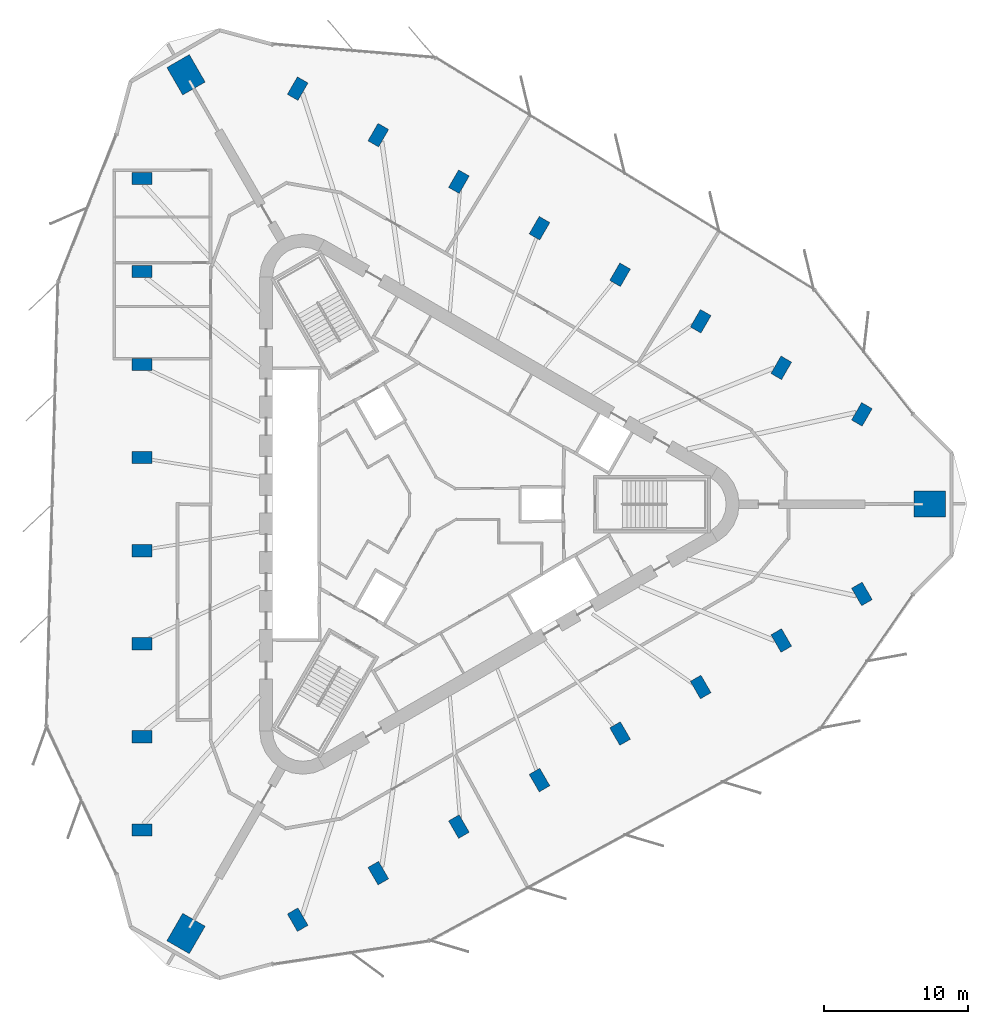
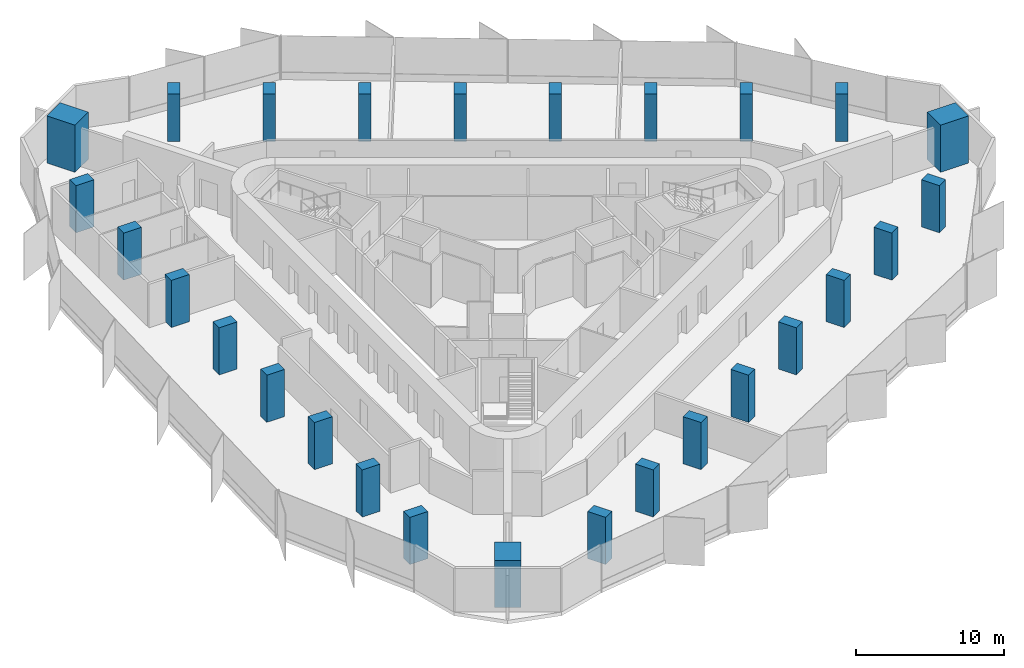
# One storey, part 1 of 13: 27 columns.
"""IFC4 building model written with IfcOpenShell, lengths in metres."""

from ifc_helpers import new_model, si_unit, direction, frame, origin, origin_2d, place, context, subcontext, project, spatial, rectangle, extrude, material, material_profile, profile_set, type_object, element, save


model = new_model("IFC4")

# Units and contexts
model_context = context("Model", 3, precision=1e-05, world=origin(), true_north=direction((0.0, 1.0)))
body_context = subcontext(model_context, "Body", "Model", "MODEL_VIEW")
ifc_project = project(units=[si_unit("LENGTHUNIT", "METRE"), si_unit("AREAUNIT", "SQUARE_METRE"), si_unit("VOLUMEUNIT", "CUBIC_METRE"), si_unit("PLANEANGLEUNIT", "RADIAN"), si_unit("MASSUNIT", "GRAM", prefix="KILO")], contexts=[model_context])

# Site, building, storey
site_placement = place(None, origin())
site = spatial("IfcSite", under=ifc_project, at=site_placement, CompositionType="ELEMENT")
building_placement = place(site_placement, origin())
building = spatial("IfcBuilding", under=site, at=building_placement, Name="Tanit Gate Tower", CompositionType="ELEMENT")
storey_placement = place(building_placement, frame((0.0, 0.0, 322.10009765625)))
storey = spatial("IfcBuildingStorey", under=building, at=storey_placement, Name="L72", CompositionType="ELEMENT", Elevation=322.10009765625)

# Columns
ifc_material_1 = material(Name="Concrete C50/60", Category="concrete")
ifc_material_profile_1 = material_profile(ifc_material_1, rectangle(XDim=2.199951171875, YDim=1.800048828125, at=origin_2d()), Name="RC 2200x1800")
ifc_profile_set_1 = profile_set([ifc_material_profile_1], Name="Concrete C50/60")
column_type_1 = type_object("IfcColumnType", Name="MEGA COLUMN 2200x1800 C50/60", PredefinedType="COLUMN", material=ifc_profile_set_1)
for number, where, z_axis, x_axis, name in (
    (1, (34.43505859375, 0.0, 0.0), (0.0, 0.0, 1.0), (1.0, 0.0, 0.0), "MEGA COLUMN"),
    (2, (-17.217529296875, 29.821533203125, 0.0), (0.0, 0.0, 1.0), (-0.5, 0.866025403784, 0.0), "MEGA COLUMN"),
    (3, (-17.217529296875, -29.821533203125, 0.0), (0.0, 0.0, 1.0), (-0.5, -0.866025403784, 0.0), "MEGA COLUMN"),
):
    element("IfcColumn", number, at=place(storey_placement, frame(where, z_axis=z_axis, x_axis=x_axis)), inside=storey, type_object=column_type_1, Name=name, PredefinedType="COLUMN", context=body_context, shape_type="SweptSolid", body=[
        extrude(rectangle(XDim=2.199951171875, YDim=1.800048828125, at=origin_2d()), origin(), (0.0, 0.0, 1.0), 3.89990234375),
    ])
ifc_material_2 = material(Name="Concrete C40/50", Category="concrete")
ifc_material_profile_2 = material_profile(ifc_material_2, rectangle(XDim=1.39990234375, YDim=0.85009765625, at=origin_2d()), Name="RC 1400x850")
ifc_profile_set_2 = profile_set([ifc_material_profile_2], Name="Concrete C40/50")
column_type_2 = type_object("IfcColumnType", Name="PERIMETER COLUMN 1400x850 C40/50", PredefinedType="COLUMN", material=ifc_profile_set_2)
for number, where, z_axis, x_axis, name in (
    (4, (-20.263671875, 22.62353515625, 0.0), (0.0, 0.0, 1.0), (-1.0, 0.0, 0.0), "PERIMETER COLUMN"),
    (5, (-20.263671875, 16.15966796875, 0.0), (0.0, 0.0, 1.0), (-1.0, 0.0, 0.0), "PERIMETER COLUMN"),
    (6, (-20.263671875, 9.69580078125, 0.0), (0.0, 0.0, 1.0), (-1.0, 0.0, 0.0), "PERIMETER COLUMN"),
    (7, (-20.263671875, 3.23193359375, 0.0), (0.0, 0.0, 1.0), (-1.0, 0.0, 0.0), "PERIMETER COLUMN"),
    (8, (-20.263671875, -3.23193359375, 0.0), (0.0, 0.0, 1.0), (-1.0, 0.0, 0.0), "PERIMETER COLUMN"),
    (9, (-20.263671875, -9.69580078125, 0.0), (0.0, 0.0, 1.0), (-1.0, 0.0, 0.0), "PERIMETER COLUMN"),
    (10, (-20.263671875, -16.15966796875, 0.0), (0.0, 0.0, 1.0), (-1.0, 0.0, 0.0), "PERIMETER COLUMN"),
    (11, (-20.263671875, -22.62353515625, 0.0), (0.0, 0.0, 1.0), (-1.0, 0.0, 0.0), "PERIMETER COLUMN"),
    (12, (29.724609375, 6.237060546875, 0.0), (0.0, 0.0, 1.0), (0.5, 0.866025403784, 0.0), "PERIMETER COLUMN"),
    (13, (24.126708984375, 9.468994140625, 0.0), (0.0, 0.0, 1.0), (0.5, 0.866025403784, 0.0), "PERIMETER COLUMN"),
    (14, (18.52880859375, 12.700927734375, 0.0), (0.0, 0.0, 1.0), (0.5, 0.866025403784, 0.0), "PERIMETER COLUMN"),
    (15, (12.930908203125, 15.932861328125, 0.0), (0.0, 0.0, 1.0), (0.5, 0.866025403784, 0.0), "PERIMETER COLUMN"),
    (16, (7.3330078125, 19.164794921875, 0.0), (0.0, 0.0, 1.0), (0.5, 0.866025403784, 0.0), "PERIMETER COLUMN"),
    (17, (1.735107421875, 22.396728515625, 0.0), (0.0, 0.0, 1.0), (0.5, 0.866025403784, 0.0), "PERIMETER COLUMN"),
    (18, (-3.86279296875, 25.628662109375, 0.0), (0.0, 0.0, 1.0), (0.5, 0.866025403784, 0.0), "PERIMETER COLUMN"),
    (19, (-9.460693359375, 28.860595703125, 0.0), (0.0, 0.0, 1.0), (0.5, 0.866025403784, 0.0), "PERIMETER COLUMN"),
    (20, (-9.460693359375, -28.860595703125, 0.0), (0.0, 0.0, 1.0), (0.5, -0.866025403784, 0.0), "PERIMETER COLUMN"),
    (21, (-3.86279296875, -25.628662109375, 0.0), (0.0, 0.0, 1.0), (0.5, -0.866025403784, 0.0), "PERIMETER COLUMN"),
    (22, (1.735107421875, -22.396728515625, 0.0), (0.0, 0.0, 1.0), (0.5, -0.866025403784, 0.0), "PERIMETER COLUMN"),
    (23, (7.3330078125, -19.164794921875, 0.0), (0.0, 0.0, 1.0), (0.5, -0.866025403784, 0.0), "PERIMETER COLUMN"),
    (24, (12.930908203125, -15.932861328125, 0.0), (0.0, 0.0, 1.0), (0.5, -0.866025403784, 0.0), "PERIMETER COLUMN"),
    (25, (18.52880859375, -12.700927734375, 0.0), (0.0, 0.0, 1.0), (0.5, -0.866025403784, 0.0), "PERIMETER COLUMN"),
    (26, (24.126708984375, -9.468994140625, 0.0), (0.0, 0.0, 1.0), (0.5, -0.866025403784, 0.0), "PERIMETER COLUMN"),
    (27, (29.724609375, -6.237060546875, 0.0), (0.0, 0.0, 1.0), (0.5, -0.866025403784, 0.0), "PERIMETER COLUMN"),
):
    element("IfcColumn", number, at=place(storey_placement, frame(where, z_axis=z_axis, x_axis=x_axis)), inside=storey, type_object=column_type_2, Name=name, PredefinedType="COLUMN", context=body_context, shape_type="SweptSolid", body=[
        extrude(rectangle(XDim=1.39990234375, YDim=0.85009765625, at=origin_2d()), origin(), (0.0, 0.0, 1.0), 3.89990234375),
    ])

save(model, "model.ifc")
